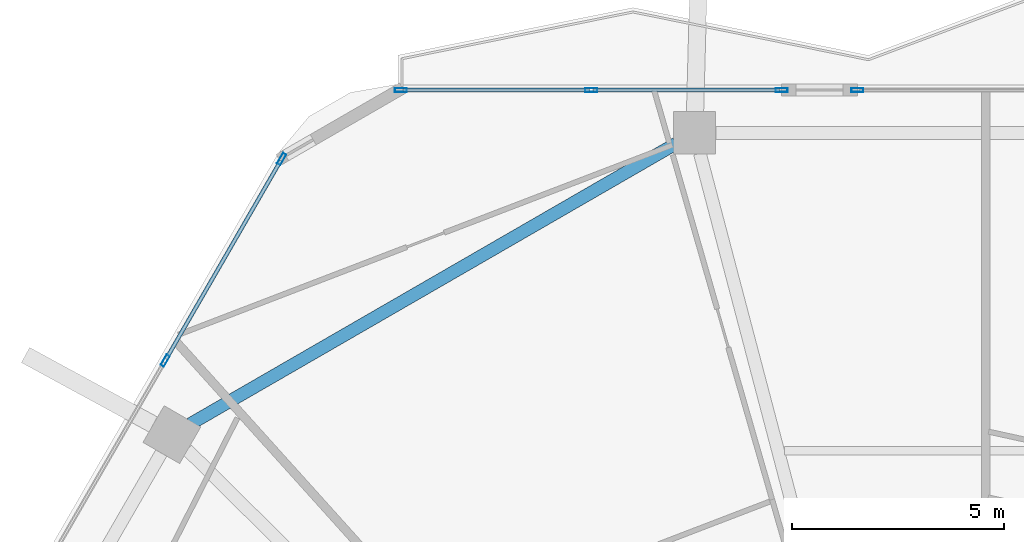
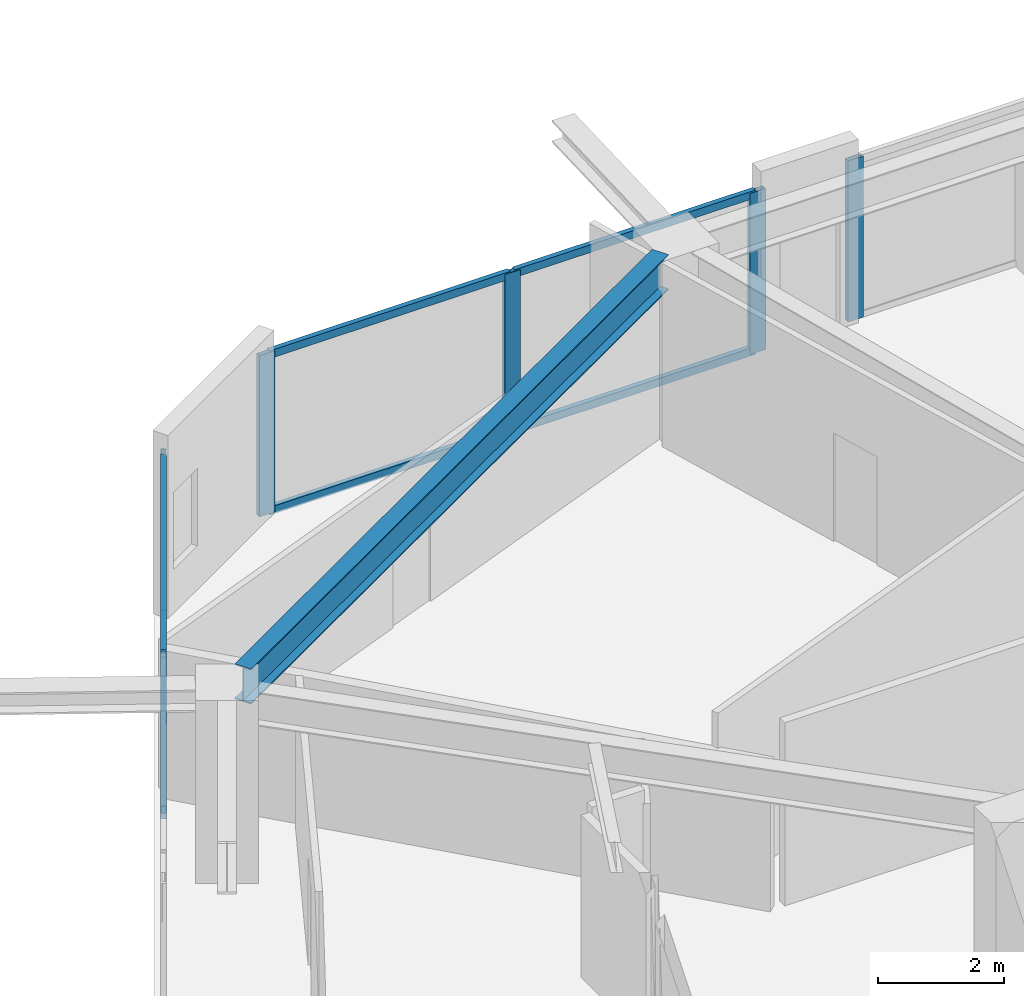
# One storey, part 12 of 25: 12 members, 1 beam, 3 elements without a shape of their own.
"""IFC4 building model written with IfcOpenShell, lengths in metres."""

from ifc_helpers import new_model, si_unit, direction, frame, origin, origin_2d, place, context, subcontext, project, spatial, hollow_rectangle, i_section, extrude, material, material_profile, profile_set, type_object, element, aggregate, save


model = new_model("IFC4")

# Units and contexts
model_context = context("Model", 3, precision=1e-05, world=origin(), true_north=direction((0.0, 1.0)))
body_context = subcontext(model_context, "Body", "Model", "MODEL_VIEW")
ifc_project = project(units=[si_unit("LENGTHUNIT", "METRE"), si_unit("AREAUNIT", "SQUARE_METRE"), si_unit("VOLUMEUNIT", "CUBIC_METRE"), si_unit("PLANEANGLEUNIT", "RADIAN"), si_unit("MASSUNIT", "GRAM", prefix="KILO")], contexts=[model_context])

# Site, building, storey
site_placement = place(None, origin())
site = spatial("IfcSite", under=ifc_project, at=site_placement, CompositionType="ELEMENT")
building_placement = place(site_placement, origin())
building = spatial("IfcBuilding", under=site, at=building_placement, Name="Zuhravey Tower", CompositionType="ELEMENT")
storey_placement = place(building_placement, frame((0.0, 0.0, 150.39990234375)))
storey = spatial("IfcBuildingStorey", under=building, at=storey_placement, Name="L37", CompositionType="ELEMENT", Elevation=150.39990234375)

# Curtain wall, members
ifc_material_1 = material(Name="Thermally broken anodised aluminium", Category="aluminium")
curtain_wall_type = type_object("IfcCurtainWallType", Name="Zone 1-2 Residential Curtain Wall CW3", PredefinedType="NOTDEFINED", material=ifc_material_1)
curtain_wall_1_placement = place(storey_placement, origin())
curtain_wall_1 = element("IfcCurtainWall", 1, at=curtain_wall_1_placement, inside=storey, type_object=curtain_wall_type, Name="L37 CW3 CW-L37-F3-1", PredefinedType="NOTDEFINED")
ifc_material_2 = material(Name="Anodised aluminium", Category="aluminium")
ifc_material_profile_1 = material_profile(ifc_material_2, hollow_rectangle(XDim=0.090087890625, YDim=0.284912109375, WallThickness=0.0048828125, at=origin_2d()), Name="ALU-RHS-90x285x5")
ifc_profile_set_1 = profile_set([ifc_material_profile_1], Name="Anodised aluminium")
member_type_1 = type_object("IfcMemberType", Name="Curtain-Wall Mullion 90x180", PredefinedType="MULLION", material=ifc_profile_set_1)
member_1_placement = place(storey_placement, frame((16.6171875, 52.7939453125, 0.0), z_axis=(0.0, 0.0, 1.0), x_axis=(-0.866025138215, 0.500000459979, 0.0)))
member_1 = element("IfcMember", 2, at=member_1_placement, type_object=member_type_1, Name="CW3 mullion 5", PredefinedType="MULLION", context=body_context, shape_type="SweptSolid", body=[
    extrude(hollow_rectangle(XDim=0.090087890625, YDim=0.284912109375, WallThickness=0.0048828125, at=origin_2d()), origin(), (0.0, 0.0, 1.0), 3.1220703125),
])
member_2_placement = place(storey_placement, frame((19.36669921875, 57.556640625, 0.0), z_axis=(0.0, 0.0, 1.0), x_axis=(-0.866025138215, 0.500000459979, 0.0)))
member_2 = element("IfcMember", 3, at=member_2_placement, type_object=member_type_1, Name="CW3 mullion 6", PredefinedType="MULLION", context=body_context, shape_type="SweptSolid", body=[
    extrude(hollow_rectangle(XDim=0.090087890625, YDim=0.284912109375, WallThickness=0.0048828125, at=origin_2d()), origin(), (0.0, 0.0, 1.0), 3.1220703125),
])

curtain_wall_2_placement = place(storey_placement, origin())
curtain_wall_2 = element("IfcCurtainWall", 4, at=curtain_wall_2_placement, inside=storey, type_object=curtain_wall_type, Name="L37 CW3 CW-L37-F2-1", PredefinedType="NOTDEFINED")
member_3_placement = place(storey_placement, frame((22.183837890625, 59.18310546875, 0.0), z_axis=(0.0, 0.0, 1.0), x_axis=(0.0, 1.0, 0.0)))
member_3 = element("IfcMember", 5, at=member_3_placement, type_object=member_type_1, Name="CW3 mullion 1", PredefinedType="MULLION", context=body_context, shape_type="SweptSolid", body=[
    extrude(hollow_rectangle(XDim=0.090087890625, YDim=0.284912109375, WallThickness=0.0048828125, at=origin_2d()), origin(), (0.0, 0.0, 1.0), 3.1220703125),
])
member_4_placement = place(storey_placement, frame((26.679931640625, 59.18310546875, 0.0), z_axis=(0.0, 0.0, 1.0), x_axis=(0.0, 1.0, 0.0)))
member_4 = element("IfcMember", 6, at=member_4_placement, type_object=member_type_1, Name="CW3 mullion 2", PredefinedType="MULLION", context=body_context, shape_type="SweptSolid", body=[
    extrude(hollow_rectangle(XDim=0.090087890625, YDim=0.284912109375, WallThickness=0.0048828125, at=origin_2d()), origin(), (0.0, 0.0, 1.0), 3.1220703125),
])
member_5_placement = place(storey_placement, frame((31.17578125, 59.18310546875, 0.0), z_axis=(0.0, 0.0, 1.0), x_axis=(0.0, 1.0, 0.0)))
member_5 = element("IfcMember", 7, at=member_5_placement, type_object=member_type_1, Name="CW3 mullion 3", PredefinedType="MULLION", context=body_context, shape_type="SweptSolid", body=[
    extrude(hollow_rectangle(XDim=0.090087890625, YDim=0.284912109375, WallThickness=0.0048828125, at=origin_2d()), origin(), (0.0, 0.0, 1.0), 3.1220703125),
])

# Curtain wall, member
curtain_wall_3_placement = place(storey_placement, origin())
curtain_wall_3 = element("IfcCurtainWall", 8, at=curtain_wall_3_placement, inside=storey, type_object=curtain_wall_type, Name="L37 CW3 CW-L37-F2-2", PredefinedType="NOTDEFINED")
member_6_placement = place(storey_placement, frame((32.9658203125, 59.18310546875, 0.0), z_axis=(0.0, 0.0, 1.0), x_axis=(0.0, 1.0, 0.0)))
member_6 = element("IfcMember", 9, at=member_6_placement, type_object=member_type_1, Name="CW3 mullion 1", PredefinedType="MULLION", context=body_context, shape_type="SweptSolid", body=[
    extrude(hollow_rectangle(XDim=0.090087890625, YDim=0.284912109375, WallThickness=0.0048828125, at=origin_2d()), origin(), (0.0, 0.0, 1.0), 3.1220703125),
])
aggregate(curtain_wall_3, [member_6])

# Member
ifc_material_profile_2 = material_profile(ifc_material_2, hollow_rectangle(XDim=0.090087890625, YDim=0.14990234375, WallThickness=0.0048828125, at=origin_2d()), Name="ALU-RHS-90x150x5")
ifc_profile_set_2 = profile_set([ifc_material_profile_2], Name="Anodised aluminium")
member_type_2 = type_object("IfcMemberType", Name="Curtain-Wall Transom 90x150", PredefinedType="USERDEFINED", material=ifc_profile_set_2)
member_7_placement = place(storey_placement, frame((16.6396484375, 52.8330078125, 0.045166015625), z_axis=(0.499993332629, 0.866029253159, 0.0), x_axis=(-0.866029253159, 0.499993332629, 0.0)))
member_7 = element("IfcMember", 10, at=member_7_placement, type_object=member_type_2, Name="CW3 transom 5.1", ObjectType="TRANSOM", PredefinedType="USERDEFINED", context=body_context, shape_type="SweptSolid", body=[
    extrude(hollow_rectangle(XDim=0.090087890625, YDim=0.14990234375, WallThickness=0.0048828125, at=origin_2d()), origin(), (0.0, 0.0, 1.0), 5.4091796875),
])

member_8_placement = place(storey_placement, frame((16.6396484375, 52.8330078125, 3.0771484375), z_axis=(0.499993332629, 0.866029253159, 0.0), x_axis=(-0.866029253159, 0.499993332629, 0.0)))
member_8 = element("IfcMember", 11, at=member_8_placement, type_object=member_type_2, Name="CW3 transom 5.2", ObjectType="TRANSOM", PredefinedType="USERDEFINED", context=body_context, shape_type="SweptSolid", body=[
    extrude(hollow_rectangle(XDim=0.090087890625, YDim=0.14990234375, WallThickness=0.0048828125, at=origin_2d()), origin(), (0.0, 0.0, 1.0), 5.4091796875),
])

aggregate(curtain_wall_1, [member_1, member_2, member_7, member_8])

member_9_placement = place(storey_placement, frame((22.22900390625, 59.18310546875, 0.045166015625), z_axis=(1.0, 0.0, 0.0), x_axis=(0.0, 1.0, 0.0)))
member_9 = element("IfcMember", 12, at=member_9_placement, type_object=member_type_2, Name="CW3 transom 1.1", ObjectType="TRANSOM", PredefinedType="USERDEFINED", context=body_context, shape_type="SweptSolid", body=[
    extrude(hollow_rectangle(XDim=0.090087890625, YDim=0.14990234375, WallThickness=0.0048828125, at=origin_2d()), origin(), (0.0, 0.0, 1.0), 4.40576171875),
])

member_10_placement = place(storey_placement, frame((22.22900390625, 59.18310546875, 3.0771484375), z_axis=(1.0, 0.0, 0.0), x_axis=(0.0, 1.0, 0.0)))
member_10 = element("IfcMember", 13, at=member_10_placement, type_object=member_type_2, Name="CW3 transom 1.2", ObjectType="TRANSOM", PredefinedType="USERDEFINED", context=body_context, shape_type="SweptSolid", body=[
    extrude(hollow_rectangle(XDim=0.090087890625, YDim=0.14990234375, WallThickness=0.0048828125, at=origin_2d()), origin(), (0.0, 0.0, 1.0), 4.40576171875),
])

member_11_placement = place(storey_placement, frame((26.724853515625, 59.18310546875, 0.045166015625), z_axis=(1.0, 0.0, 0.0), x_axis=(0.0, 1.0, 0.0)))
member_11 = element("IfcMember", 14, at=member_11_placement, type_object=member_type_2, Name="CW3 transom 2.1", ObjectType="TRANSOM", PredefinedType="USERDEFINED", context=body_context, shape_type="SweptSolid", body=[
    extrude(hollow_rectangle(XDim=0.090087890625, YDim=0.14990234375, WallThickness=0.0048828125, at=origin_2d()), origin(), (0.0, 0.0, 1.0), 4.406005859375),
])

member_12_placement = place(storey_placement, frame((26.724853515625, 59.18310546875, 3.0771484375), z_axis=(1.0, 0.0, 0.0), x_axis=(0.0, 1.0, 0.0)))
member_12 = element("IfcMember", 15, at=member_12_placement, type_object=member_type_2, Name="CW3 transom 2.2", ObjectType="TRANSOM", PredefinedType="USERDEFINED", context=body_context, shape_type="SweptSolid", body=[
    extrude(hollow_rectangle(XDim=0.090087890625, YDim=0.14990234375, WallThickness=0.0048828125, at=origin_2d()), origin(), (0.0, 0.0, 1.0), 4.406005859375),
])

aggregate(curtain_wall_2, [member_3, member_4, member_5, member_9, member_10, member_11, member_12])

# Beam
ifc_material_3 = material(Name="Steel SM355", Category="steel")
ifc_material_profile_3 = material_profile(ifc_material_3, i_section(OverallWidth=0.300048828125, OverallDepth=0.679931640625, WebThickness=0.012939453125, FlangeThickness=0.02197265625, at=origin_2d()), Name="H-680x300x13x22")
ifc_profile_set_3 = profile_set([ifc_material_profile_3], Name="Steel SM355")
beam_type = type_object("IfcBeamType", Name="Perimeter Ring Beam H680x300", PredefinedType="BEAM", material=ifc_profile_set_3)
beam_placement = place(storey_placement, frame((28.682373046875, 57.921630859375, 3.210205078125), z_axis=(-0.866022923061, -0.500004296715, 0.0), x_axis=(0.500004296715, -0.866022923061, 0.0)))
element("IfcBeam", 16, at=beam_placement, inside=storey, type_object=beam_type, Name="L37 PB2 BM-L37-PB-04", PredefinedType="BEAM", context=body_context, shape_type="SweptSolid", body=[
    extrude(i_section(OverallWidth=0.300048828125, OverallDepth=0.679931640625, WebThickness=0.012939453125, FlangeThickness=0.02197265625, at=origin_2d()), origin(), (0.0, 0.0, 1.0), 13.2470703125),
])

save(model, "model.ifc")
